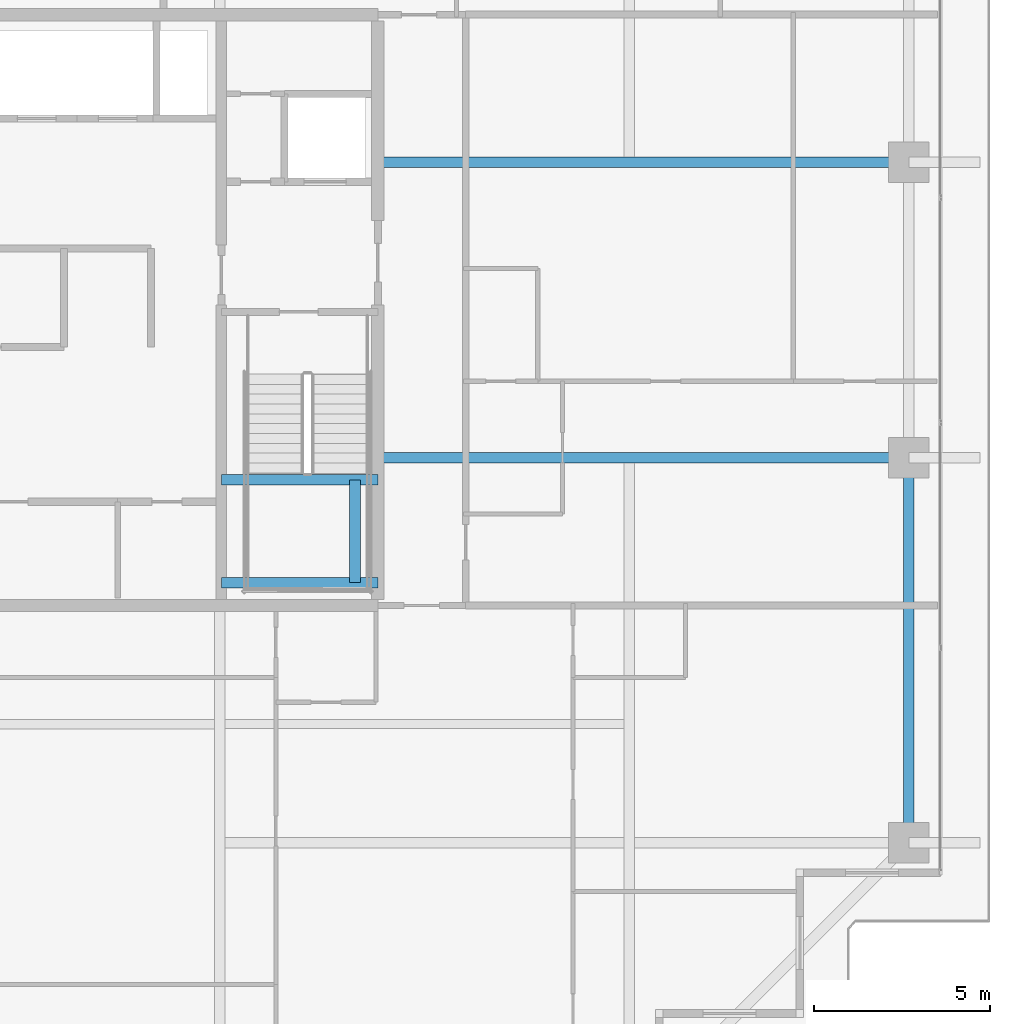
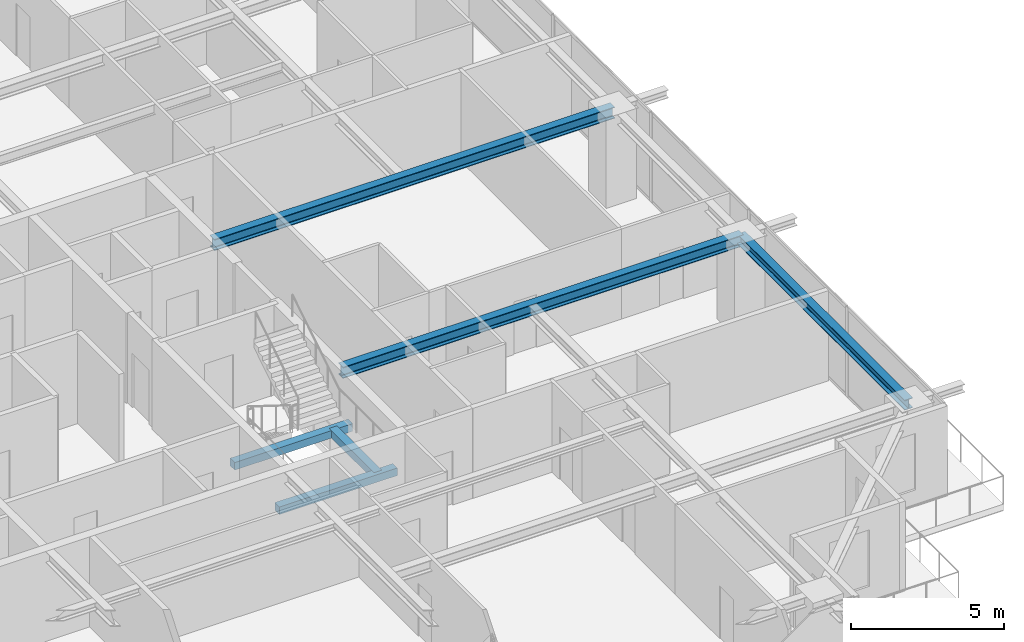
# One storey, part 14 of 35: 6 beams.
"""IFC4 building model written with IfcOpenShell, lengths in metres."""

from ifc_helpers import new_model, si_unit, direction, frame, origin, origin_2d, place, context, subcontext, project, spatial, rectangle, i_section, extrude, source, transform, mapped, material, material_profile, profile_set, type_object, element, save


model = new_model("IFC4")

# Units and contexts
model_context = context("Model", 3, precision=1e-05, world=origin(), true_north=direction((0.0, 1.0)))
body_context = subcontext(model_context, "Body", "Model", "MODEL_VIEW")
ifc_project = project(units=[si_unit("LENGTHUNIT", "METRE"), si_unit("AREAUNIT", "SQUARE_METRE"), si_unit("VOLUMEUNIT", "CUBIC_METRE"), si_unit("PLANEANGLEUNIT", "RADIAN"), si_unit("MASSUNIT", "GRAM", prefix="KILO")], contexts=[model_context])

# Site, building, storey
site_placement = place(None, origin())
site = spatial("IfcSite", under=ifc_project, at=site_placement, CompositionType="ELEMENT")
building_placement = place(site_placement, origin())
building = spatial("IfcBuilding", under=site, at=building_placement, Name="Serunith Strait Residences", CompositionType="ELEMENT")
storey_placement = place(building_placement, frame((0.0, 0.0, 214.300048828125)))
storey = spatial("IfcBuildingStorey", under=building, at=storey_placement, Name="L53", CompositionType="ELEMENT", Elevation=214.300048828125)

# Beams
ifc_material_1 = material(Name="Steel S355J2", Category="steel")
ifc_material_profile_1 = material_profile(ifc_material_1, i_section(OverallWidth=0.300048828125, OverallDepth=0.449951171875, WebThickness=0.013916015625, FlangeThickness=0.02587890625, FilletRadius=0.027099609375, at=origin_2d()), Name="HEB 450")
ifc_profile_set_1 = profile_set([ifc_material_profile_1], Name="Steel S355J2")
beam_type_1 = type_object("IfcBeamType", Name="BM-HEB450", PredefinedType="BEAM", material=ifc_profile_set_1)
shared_shape_1 = source(origin(), body_context, "Body", "SweptSolid", [
    extrude(i_section(OverallWidth=0.300048828125, OverallDepth=0.449951171875, WebThickness=0.013916015625, FlangeThickness=0.02587890625, FilletRadius=0.027099609375, at=origin_2d()), origin(), (0.0, 0.0, 1.0), 15.10009765625),
])
for number, where, z_axis, x_axis, name in (
    (1, (41.39990234375, 21.0, 3.362060546875), (1.0, 0.0, 0.0), (0.0, 1.0, 0.0), "L53 Primary Floor Girder TC-E2"),
    (2, (41.39990234375, 29.39990234375, 3.362060546875), (1.0, 0.0, 0.0), (0.0, 1.0, 0.0), "L53 Primary Floor Girder TC-E3"),
):
    element("IfcBeam", number, at=place(storey_placement, frame(where, z_axis=z_axis, x_axis=x_axis)), inside=storey, type_object=beam_type_1, Name=name, PredefinedType="BEAM", context=body_context, shape_type="MappedRepresentation", body=[
        mapped(shared_shape_1, transform((0.0, 0.0, 0.0), scale=1.0)),
    ])
ifc_material_profile_2 = material_profile(ifc_material_1, i_section(OverallWidth=0.300048828125, OverallDepth=0.39990234375, WebThickness=0.013427734375, FlangeThickness=0.02392578125, FilletRadius=0.027099609375, at=origin_2d()), Name="HEB 400")
ifc_profile_set_2 = profile_set([ifc_material_profile_2], Name="Steel S355J2")
beam_type_2 = type_object("IfcBeamType", Name="BM-HEB400", PredefinedType="BEAM", material=ifc_profile_set_2)
shared_shape_2 = source(origin(), body_context, "Body", "SweptSolid", [
    extrude(i_section(OverallWidth=0.300048828125, OverallDepth=0.39990234375, WebThickness=0.013427734375, FlangeThickness=0.02392578125, FilletRadius=0.027099609375, at=origin_2d()), origin(), (0.0, 0.0, 1.0), 10.949951171875),
])
beam_1_placement = place(storey_placement, frame((56.5, 10.050048828125, 3.386962890625), z_axis=(0.0, 1.0, 0.0), x_axis=(-1.0, 0.0, 0.0)))
element("IfcBeam", 3, at=beam_1_placement, inside=storey, type_object=beam_type_2, Name="L53 Perimeter Ring Beam 05", PredefinedType="BEAM", context=body_context, shape_type="MappedRepresentation", body=[
    mapped(shared_shape_2, transform((0.0, 0.0, 0.0), scale=1.0)),
])
ifc_material_2 = material(Name="Concrete C60/75", Category="concrete")
ifc_material_profile_3 = material_profile(ifc_material_2, rectangle(XDim=0.300048828125, YDim=0.300048828125, at=origin_2d()), Name="RC 300x300")
ifc_profile_set_3 = profile_set([ifc_material_profile_3], Name="Concrete C60/75")
beam_type_3 = type_object("IfcBeamType", Name="BM-LAND-300x300", PredefinedType="BEAM", material=ifc_profile_set_3)
shared_shape_3 = source(origin(), body_context, "Body", "SweptSolid", [
    extrude(rectangle(XDim=0.300048828125, YDim=0.300048828125, at=origin_2d()), origin(), (0.0, 0.0, 1.0), 4.449951171875),
])
for number, where, z_axis, x_axis, name in (
    (4, (36.949951171875, 17.449951171875, 1.574951171875), (1.0, 0.0, 0.0), (0.0, 1.0, 0.0), "L53 ST-2 Landing Support Beam 1"),
    (5, (36.949951171875, 20.3701171875, 1.574951171875), (1.0, 0.0, 0.0), (0.0, 1.0, 0.0), "L53 ST-2 Landing Support Beam 2"),
):
    element("IfcBeam", number, at=place(storey_placement, frame(where, z_axis=z_axis, x_axis=x_axis)), inside=storey, type_object=beam_type_3, Name=name, PredefinedType="BEAM", context=body_context, shape_type="MappedRepresentation", body=[
        mapped(shared_shape_3, transform((0.0, 0.0, 0.0), scale=1.0)),
    ])
shared_shape_4 = source(origin(), body_context, "Body", "SweptSolid", [
    extrude(rectangle(XDim=0.300048828125, YDim=0.300048828125, at=origin_2d()), origin(), (0.0, 0.0, 1.0), 2.920166015625),
])
beam_2_placement = place(storey_placement, frame((40.75, 17.449951171875, 1.574951171875), z_axis=(0.0, 1.0, 0.0), x_axis=(-1.0, 0.0, 0.0)))
element("IfcBeam", 6, at=beam_2_placement, inside=storey, type_object=beam_type_3, Name="L53 ST-2 Landing Transverse Tie Beam", PredefinedType="BEAM", context=body_context, shape_type="MappedRepresentation", body=[
    mapped(shared_shape_4, transform((0.0, 0.0, 0.0), scale=1.0)),
])

save(model, "model.ifc")
